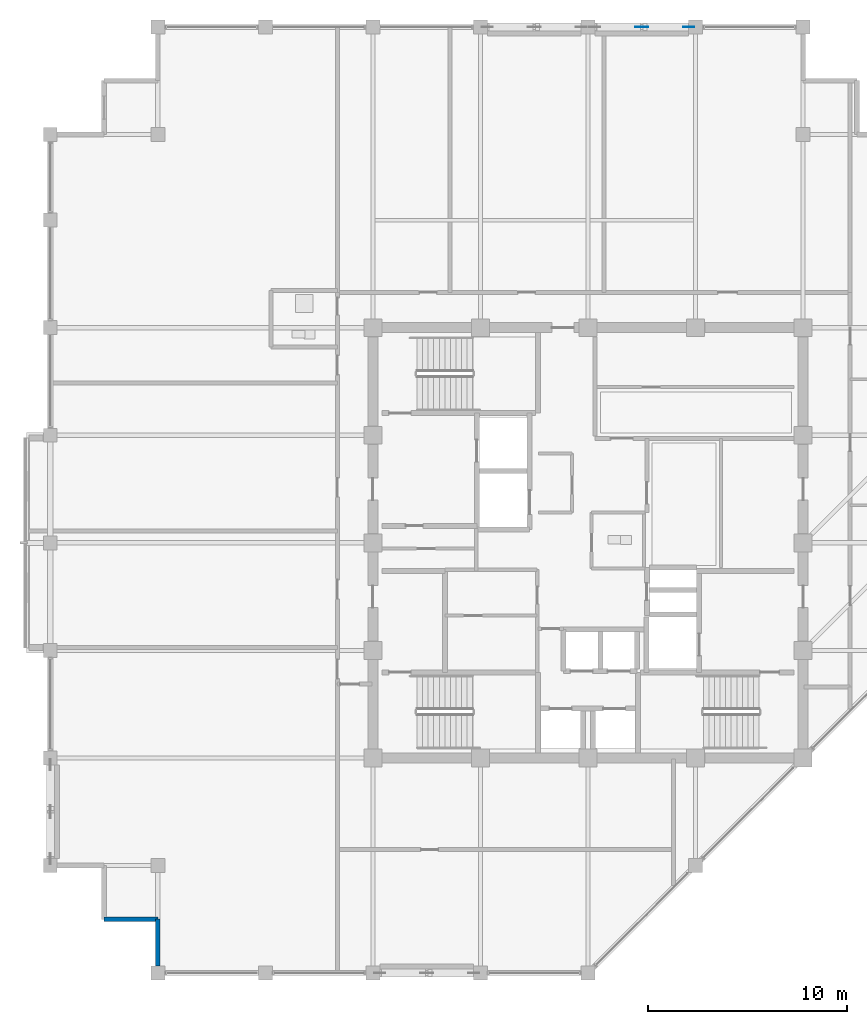
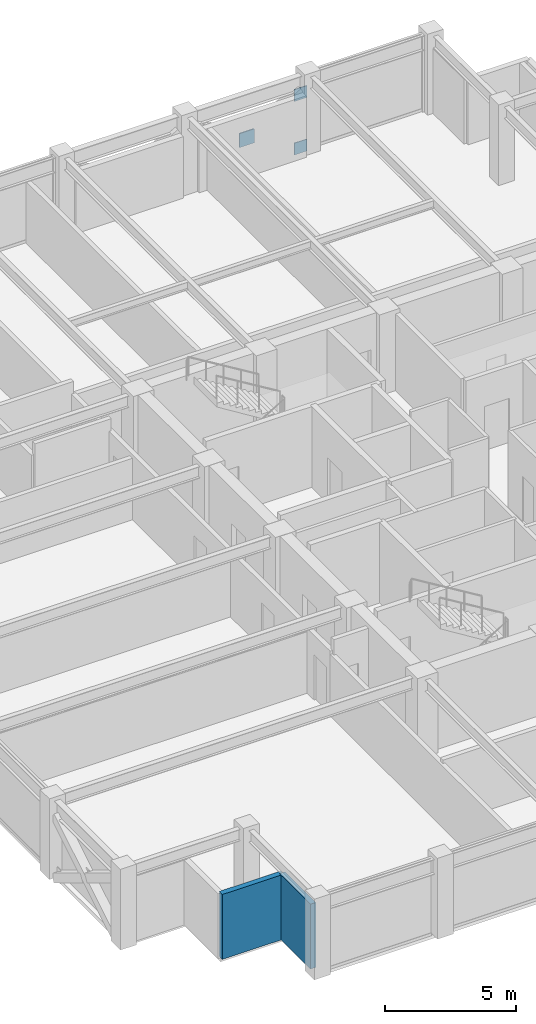
# One storey, part 22 of 29: 3 plates, 2 walls.
"""IFC4 building model written with IfcOpenShell, lengths in metres."""

from ifc_helpers import new_model, si_unit, direction, frame, frame_2d, origin, origin_2d, place, context, subcontext, project, spatial, rectangle, extrude, material, layer, layer_set, type_object, element, save


model = new_model("IFC4")

# Units and contexts
model_context = context("Model", 3, precision=1e-05, world=origin(), true_north=direction((0.0, 1.0)))
body_context = subcontext(model_context, "Body", "Model", "MODEL_VIEW")
ifc_project = project(units=[si_unit("LENGTHUNIT", "METRE"), si_unit("AREAUNIT", "SQUARE_METRE"), si_unit("VOLUMEUNIT", "CUBIC_METRE"), si_unit("PLANEANGLEUNIT", "RADIAN"), si_unit("MASSUNIT", "GRAM", prefix="KILO")], contexts=[model_context])

# Site, building, storey
site_placement = place(None, origin())
site = spatial("IfcSite", under=ifc_project, at=site_placement, CompositionType="ELEMENT")
building_placement = place(site_placement, origin())
building = spatial("IfcBuilding", under=site, at=building_placement, Name="Surkhivell Harbour Commons", CompositionType="ELEMENT")
storey_placement = place(building_placement, frame((0.0, 0.0, 277.5)))
storey = spatial("IfcBuildingStorey", under=building, at=storey_placement, Name="L72", CompositionType="ELEMENT", Elevation=277.5)

# Plates
ifc_material_1 = material(Name="Steel S460", Category="steel")
ifc_layer_1 = layer(ifc_material_1, 0.035888671875)
ifc_layer_set_1 = layer_set([ifc_layer_1], Name="Steel S460")
plate_type_1 = type_object("IfcPlateType", Name="PLT-GUS-550", PredefinedType="USERDEFINED", material=ifc_layer_set_1)
for number, where, z_axis, x_axis, name in (
    (1, (5.06494140625, 25.89990234375, -0.07470703125), (0.0, 0.0, 1.0), (1.0, 0.0, 0.0), "L72 Perimeter Mega-Brace MB- Corner Gusset N2-2"),
    (2, (5.06494140625, 25.89990234375, 2.41357421875), (0.0, 0.0, 1.0), (1.0, 0.0, 0.0), "L72 Perimeter Mega-Brace MB- Corner Gusset N2-4"),
):
    element("IfcPlate", number, at=place(storey_placement, frame(where, z_axis=z_axis, x_axis=x_axis)), inside=storey, type_object=plate_type_1, Name=name, ObjectType="GUSSET_PLATE", PredefinedType="USERDEFINED", context=body_context, shape_type="SweptSolid", body=[
        extrude(rectangle(XDim=0.550048828125, YDim=0.035888671875, at=origin_2d()), origin(), (0.0, 0.0, 1.0), 0.550048828125),
    ])
ifc_layer_2 = layer(ifc_material_1, 0.044921875)
ifc_layer_set_2 = layer_set([ifc_layer_2], Name="Steel S460")
plate_type_2 = type_object("IfcPlateType", Name="PLT-GUS-650", PredefinedType="USERDEFINED", material=ifc_layer_set_2)
plate_placement = place(storey_placement, frame((2.699951171875, 25.89990234375, 1.11962890625), z_axis=(0.0, 0.0, 1.0), x_axis=(1.0, 0.0, 0.0)))
element("IfcPlate", 3, at=plate_placement, inside=storey, type_object=plate_type_2, Name="L72 Perimeter Mega-Brace MB- Central Crossing Gusset N2", ObjectType="GUSSET_PLATE", PredefinedType="USERDEFINED", context=body_context, shape_type="SweptSolid", body=[
    extrude(rectangle(XDim=0.64990234375, YDim=0.044921875, at=origin_2d()), origin(), (0.0, 0.0, 1.0), 0.64990234375),
])

# Walls
ifc_material_2 = material(Name="Bronze-ochre cassette precast concrete C45/55", Category="concrete")
ifc_layer_3 = layer(ifc_material_2, 0.239990234375)
ifc_layer_set_3 = layer_set([ifc_layer_3], Name="Bronze-ochre cassette precast concrete C45/55")
wall_type = type_object("IfcWallType", Name="WAL-EXT-OCH240", PredefinedType="STANDARD", material=ifc_layer_set_3)
wall_1_placement = place(storey_placement, frame((-24.300048828125, -18.89990234375, 0.0), z_axis=(0.0, 0.0, 1.0), x_axis=(1.0, 0.0, 0.0)))
element("IfcWall", 4, at=wall_1_placement, inside=storey, type_object=wall_type, Name="L72 Serrated Corner Facade Wall 15", PredefinedType="STANDARD", context=body_context, shape_type="SweptSolid", body=[
    extrude(rectangle(XDim=2.699951171875, YDim=0.239990234375, at=frame_2d((1.35009765625, 0.0))), origin(), (0.0, 0.0, 1.0), 3.012939453125),
])
wall_2_placement = place(storey_placement, frame((-21.60009765625, -18.89990234375, 0.0), z_axis=(0.0, 0.0, 1.0), x_axis=(0.0, -1.0, 0.0)))
element("IfcWall", 5, at=wall_2_placement, inside=storey, type_object=wall_type, Name="L72 Serrated Corner Facade Wall 16", PredefinedType="STANDARD", context=body_context, shape_type="SweptSolid", body=[
    extrude(rectangle(XDim=2.35205078125, YDim=0.239990234375, at=frame_2d((1.176025390625, 0.0))), origin(), (0.0, 0.0, 1.0), 3.012939453125),
])

save(model, "model.ifc")
